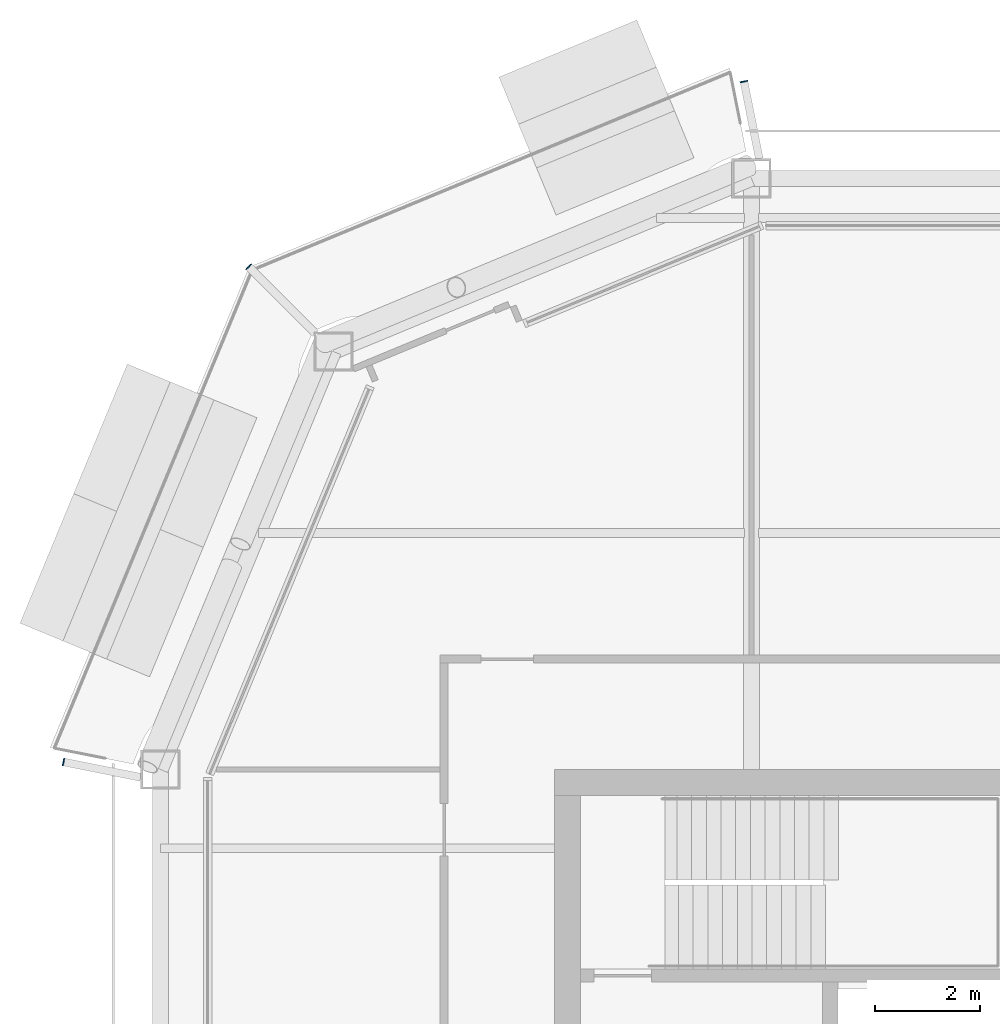
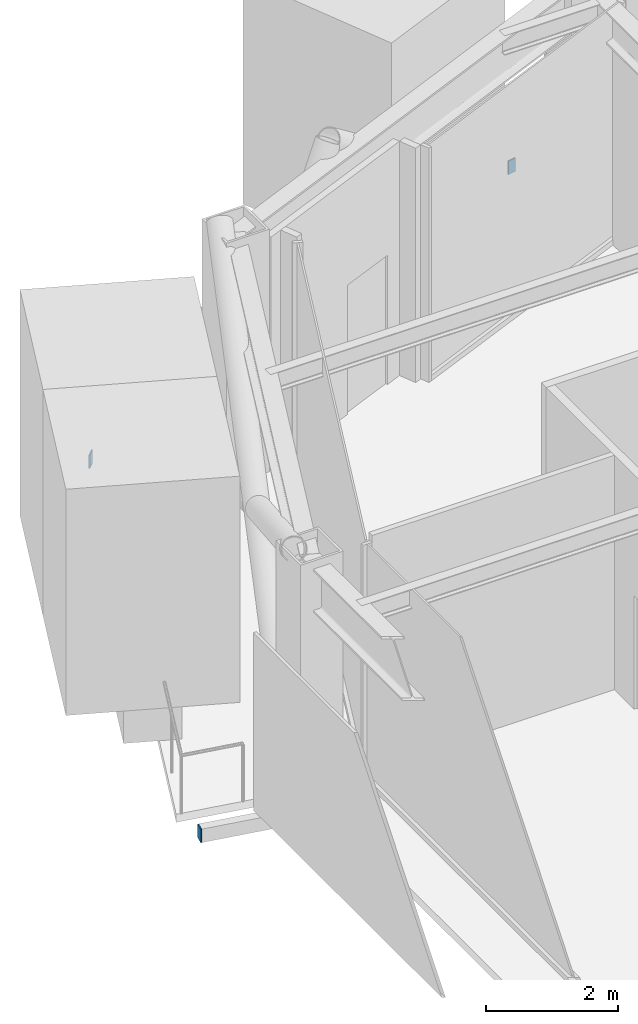
# One storey, part 15 of 21: 3 discrete accessories.
"""IFC4 building model written with IfcOpenShell, lengths in metres."""

import ifcopenshell
import ifcopenshell.guid

model = None  # the IFC model being written
_history = None  # IfcOwnerHistory: only IFC2X3 demands one
_inside = {}  # id of a spatial element -> (the spatial element, [elements in it])
_under = {}  # id of a project, library or spatial element -> (it, [spatial elements below it])
_declared = {}  # id of a project -> (the project, [libraries it declares])
_typed = {}  # id of a type object -> (the type object, [elements of that type])
_made_of = {}  # id of a material, layer set ... -> (it, [elements and type objects made of it])


def new_model(schema):
    """Start an empty IFC model of exactly this schema.

    Asked for "IFC4X3", IfcOpenShell would pick the latest addendum, in which some entities
    have other attributes; the version numbers below select the first issue.
    IFC2X3 requires an IfcOwnerHistory on every rooted entity: one is made here for all.
    """
    global model, _history
    if schema == "IFC4X3":
        model = ifcopenshell.file(schema_version=(4, 3, 0, 0))
    else:
        model = ifcopenshell.file(schema=schema)
    _inside.clear()
    _under.clear()
    _declared.clear()
    _typed.clear()
    _made_of.clear()
    _history = None
    if model.schema == "IFC2X3":
        org = make("IfcOrganization", Name="unknown")
        user = make(
            "IfcPersonAndOrganization",
            ThePerson=make("IfcPerson", FamilyName="unknown"),
            TheOrganization=org,
        )
        app = make(
            "IfcApplication",
            ApplicationDeveloper=org,
            Version="unknown",
            ApplicationFullName="unknown",
            ApplicationIdentifier="unknown",
        )
        _history = make(
            "IfcOwnerHistory",
            OwningUser=user,
            OwningApplication=app,
            ChangeAction="ADDED",
            CreationDate=0,
        )
    return model


def make(cls, **values):
    """One entity of the class cls with the attributes given. An attribute that is None is left unset."""
    return model.create_entity(
        cls, **{name: value for name, value in values.items() if value is not None}
    )


def rooted(cls, **values):
    """An entity with a GlobalId (a new one), such as an element, a storey or a relation."""
    return make(cls, GlobalId=ifcopenshell.guid.new(), OwnerHistory=_history, **values)


def si_unit(unit_type, name, prefix=None):
    """IfcSIUnit, for example si_unit("LENGTHUNIT", "METRE", prefix="MILLI")."""
    return make("IfcSIUnit", UnitType=unit_type, Prefix=prefix, Name=name)


def assignment(units):
    """IfcUnitAssignment: the units of a project."""
    return None if units is None else make("IfcUnitAssignment", Units=units)


def point(xyz):
    """IfcCartesianPoint."""
    return None if xyz is None else make("IfcCartesianPoint", Coordinates=xyz)


def direction(xyz):
    """IfcDirection."""
    return None if xyz is None else make("IfcDirection", DirectionRatios=xyz)


def frame(location, z_axis=None, x_axis=None):
    """IfcAxis2Placement3D, a coordinate frame: its origin and axes. An axis left out is left unset."""
    return make(
        "IfcAxis2Placement3D",
        Location=point(location),
        Axis=direction(z_axis),
        RefDirection=direction(x_axis),
    )


def frame_2d(location, x_axis=None):
    """IfcAxis2Placement2D, a coordinate frame in the plane: its origin and x axis."""
    return make(
        "IfcAxis2Placement2D", Location=point(location), RefDirection=direction(x_axis)
    )


def origin():
    """The frame at (0, 0, 0) with its axes left unset."""
    return frame((0.0, 0.0, 0.0))


def origin_2d():
    """The frame at (0, 0) in the plane with its x axis left unset."""
    return frame_2d((0.0, 0.0))


def place(relative_to, where):
    """IfcLocalPlacement: puts the frame where relative to a parent placement (None: the world)."""
    return make(
        "IfcLocalPlacement", PlacementRelTo=relative_to, RelativePlacement=where
    )


def context(
    kind, dimensions, precision=None, world=None, true_north=None, identifier=None
):
    """IfcGeometricRepresentationContext, for example the 3D "Model" context."""
    return make(
        "IfcGeometricRepresentationContext",
        ContextIdentifier=identifier,
        ContextType=kind,
        CoordinateSpaceDimension=dimensions,
        Precision=precision,
        WorldCoordinateSystem=world,
        TrueNorth=true_north,
    )


def subcontext(parent, identifier, kind, view, scale=None):
    """IfcGeometricRepresentationSubContext, for example "Body" below "Model"."""
    return make(
        "IfcGeometricRepresentationSubContext",
        ContextIdentifier=identifier,
        ContextType=kind,
        ParentContext=parent,
        TargetScale=scale,
        TargetView=view,
    )


def project(units=None, contexts=None):
    """IfcProject with its units and contexts."""
    return rooted(
        "IfcProject",
        Name="project",
        RepresentationContexts=contexts,
        UnitsInContext=assignment(units),
    )


def spatial(cls, under=None, at=None, **own):
    """A site, building, storey or space (cls), placed at a placement, below another one or the project."""
    s = rooted(cls, ObjectPlacement=at, **own)
    if under is not None:
        _under.setdefault(under.id(), (under, []))[1].append(s)
    return s


def profile(cls, at=None, kind="AREA", **sizes):
    """A parametric profile (cls). Its sizes go by their IFC names, for example OverallWidth=200.0."""
    return make(cls, ProfileType=kind, Position=at, **sizes)


def rectangle(**sizes):
    """IfcRectangleProfileDef."""
    return profile("IfcRectangleProfileDef", **sizes)


def extrude(swept, where, along, depth):
    """IfcExtrudedAreaSolid: the profile swept, set in the frame where, extruded along a direction by depth."""
    return make(
        "IfcExtrudedAreaSolid",
        SweptArea=swept,
        Position=where,
        ExtrudedDirection=direction(along),
        Depth=depth,
    )


def shape(context_of_items, identifier, shape_type, items):
    """IfcShapeRepresentation: the items that make up one representation, for example the "Body"."""
    return make(
        "IfcShapeRepresentation",
        ContextOfItems=context_of_items,
        RepresentationIdentifier=identifier,
        RepresentationType=shape_type,
        Items=items,
    )


def material(Name=None, Category=None):
    """IfcMaterial."""
    return make("IfcMaterial", Name=Name, Category=Category)


def layer(
    of_material, thickness, ventilated=None, Name=None, Category=None, Priority=None
):
    """IfcMaterialLayer: one layer of a wall or slab, of a material (None: an air gap)."""
    return make(
        "IfcMaterialLayer",
        Material=of_material,
        LayerThickness=thickness,
        IsVentilated=ventilated,
        Name=Name,
        Category=Category,
        Priority=Priority,
    )


def layer_set(layers, Name=None):
    """IfcMaterialLayerSet."""
    return make("IfcMaterialLayerSet", MaterialLayers=layers, LayerSetName=Name)


def made_of(thing, what):
    """Note that an element or type object is made of a material, layer set ...; save() writes the relation."""
    if what is not None:
        _made_of.setdefault(what.id(), (what, []))[1].append(thing)
    return thing


def type_object(cls, material=None, **own):
    """A type object (cls), such as IfcWallType, which elements share."""
    return made_of(rooted(cls, **own), material)


def element(
    cls,
    number,
    at=None,
    inside=None,
    cuts=None,
    type_object=None,
    material=None,
    context=None,
    identifier="Body",
    shape_type=None,
    held_by="IfcProductDefinitionShape",
    body=None,
    shapes=None,
    **own,
):
    """One element of the class cls, such as IfcWall. Its Tag is "e" and its number.

    at: its placement. inside: the storey or other place that contains it. cuts: it is an
    opening in that element (IfcRelVoidsElement). A single representation is given by context,
    identifier, shape_type and body (its items); several are given by shapes. held_by: the class
    of the entity that holds the representations. save() writes the other relations.
    """
    e = rooted(cls, Tag="e%d" % number, ObjectPlacement=at, **own)
    if body is not None:
        shapes = [shape(context, identifier, shape_type, body)]
    if shapes is not None:
        e.Representation = make(held_by, Representations=shapes)
    if inside is not None:
        _inside.setdefault(inside.id(), (inside, []))[1].append(e)
    if cuts is not None:
        rooted(
            "IfcRelVoidsElement", RelatingBuildingElement=cuts, RelatedOpeningElement=e
        )
    if type_object is not None:
        _typed.setdefault(type_object.id(), (type_object, []))[1].append(e)
    return made_of(e, material)


def aggregate(whole, parts):
    """IfcRelAggregates: a whole, such as a stair, and the parts it consists of."""
    return rooted("IfcRelAggregates", RelatingObject=whole, RelatedObjects=parts)


def save(model, path):
    """Write the relations noted so far, then the file.

    IfcRelAggregates (storeys below a building ...), IfcRelContainedInSpatialStructure (elements
    in a storey), IfcRelDefinesByType, IfcRelAssociatesMaterial and IfcRelDeclares: one each for
    every whole, place, type object, material and project.
    """
    for whole, parts in _under.values():
        aggregate(whole, parts)
    for where, things in _inside.values():
        rooted(
            "IfcRelContainedInSpatialStructure",
            RelatedElements=things,
            RelatingStructure=where,
        )
    for kind, things in _typed.values():
        rooted("IfcRelDefinesByType", RelatedObjects=things, RelatingType=kind)
    for what, things in _made_of.values():
        rooted("IfcRelAssociatesMaterial", RelatedObjects=things, RelatingMaterial=what)
    for by, libraries in _declared.values():
        rooted("IfcRelDeclares", RelatingContext=by, RelatedDefinitions=libraries)
    model.write(path)


model = new_model("IFC4")

# Units and contexts
model_context = context("Model", 3, precision=1e-05, world=origin(), true_north=direction((0.0, 1.0)))
body_context = subcontext(model_context, "Body", "Model", "MODEL_VIEW")
ifc_project = project(units=[si_unit("LENGTHUNIT", "METRE"), si_unit("AREAUNIT", "SQUARE_METRE"), si_unit("VOLUMEUNIT", "CUBIC_METRE"), si_unit("PLANEANGLEUNIT", "RADIAN"), si_unit("MASSUNIT", "GRAM", prefix="KILO")], contexts=[model_context])

# Site, building, storey
site_placement = place(None, origin())
site = spatial("IfcSite", under=ifc_project, at=site_placement, CompositionType="ELEMENT")
building_placement = place(site_placement, origin())
building = spatial("IfcBuilding", under=site, at=building_placement, Name="Siwar Civic Tower", CompositionType="ELEMENT")
storey_placement = place(building_placement, frame((0.0, 0.0, 312.199951171875)))
storey = spatial("IfcBuildingStorey", under=building, at=storey_placement, Name="L67", CompositionType="ELEMENT", Elevation=312.199951171875)

# Discrete accessories
ifc_material = material(Name="Steel S355", Category="steel")
ifc_layer = layer(ifc_material, 0.02001953125)
ifc_layer_set = layer_set([ifc_layer], Name="Steel S355")
discrete_accessory_type = type_object("IfcDiscreteAccessoryType", Name="STR-END-CAP", PredefinedType="USERDEFINED", material=ifc_layer_set)
for number, where, z_axis, x_axis, name in (
    (1, (-13.642578125, 26.5947265625, -0.39990234375), (0.0, 0.0, 1.0), (-0.19509032217, 0.980785280373, 0.0), "End cap plate Balcony cantilever beam NW 1"),
    (2, (-23.0693359375, 23.0693359375, -0.39990234375), (0.0, 0.0, 1.0), (-0.707106781187, 0.707106781187, 0.0), "End cap plate Balcony cantilever beam NW 2"),
    (3, (-26.5947265625, 13.642578125, -0.39990234375), (0.0, 0.0, 1.0), (-0.980785280373, 0.19509032217, 0.0), "End cap plate Balcony cantilever beam NW 3"),
):
    element("IfcDiscreteAccessory", number, at=place(storey_placement, frame(where, z_axis=z_axis, x_axis=x_axis)), inside=storey, type_object=discrete_accessory_type, Name=name, ObjectType="END CAP PLATE", PredefinedType="USERDEFINED", context=body_context, shape_type="SweptSolid", body=[
        extrude(rectangle(XDim=0.02001953125, YDim=0.14990234375, at=origin_2d()), origin(), (0.0, 0.0, 1.0), 0.25),
    ])

save(model, "model.ifc")
